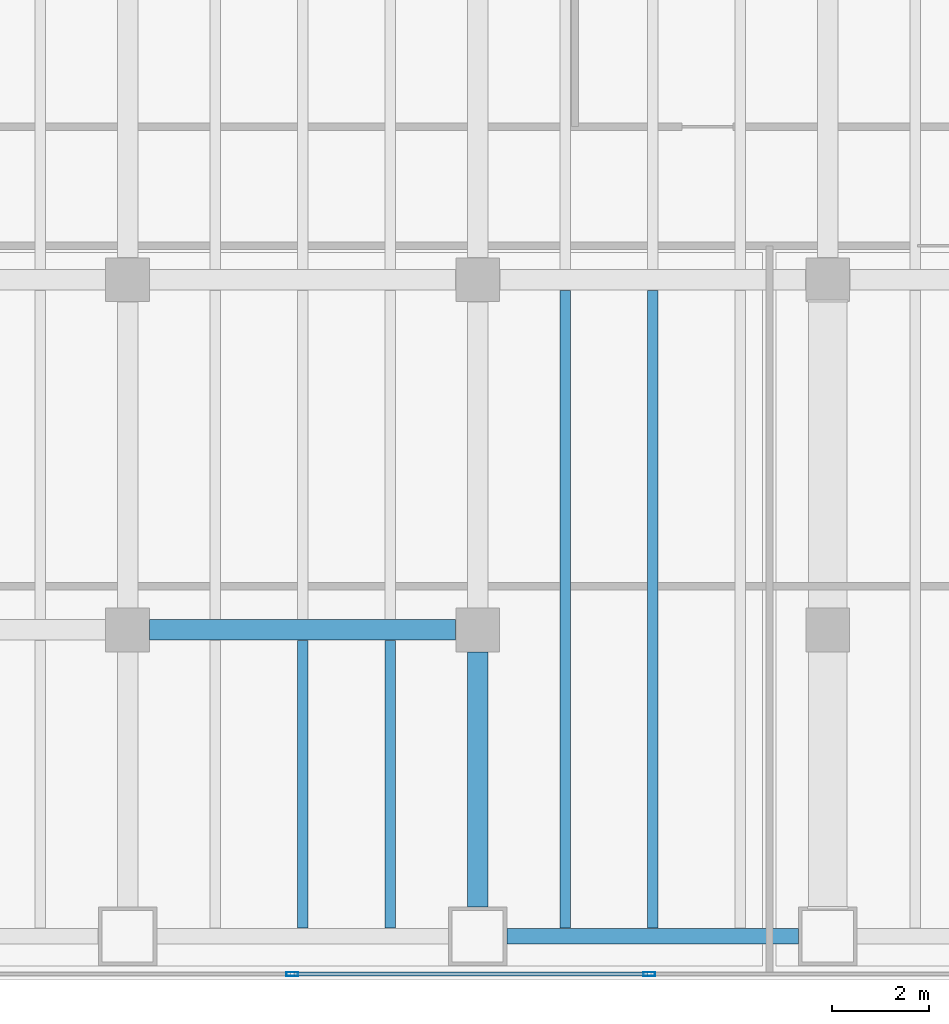
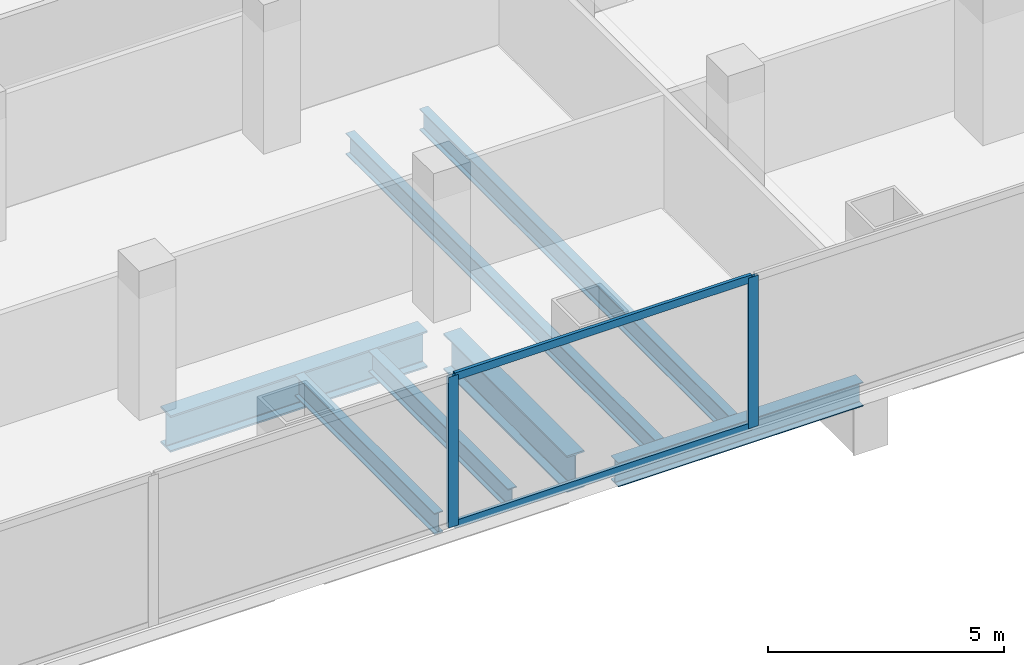
# One storey, part 5 of 34: 7 beams, 4 members, 1 element without a shape of its own.
"""IFC4 building model written with IfcOpenShell, lengths in metres."""

from ifc_helpers import new_model, si_unit, direction, frame, origin, origin_2d, place, context, subcontext, project, spatial, hollow_rectangle, i_section, extrude, material, material_profile, profile_set, type_object, element, aggregate, save


model = new_model("IFC4")

# Units and contexts
model_context = context("Model", 3, precision=1e-05, world=origin(), true_north=direction((0.0, 1.0)))
body_context = subcontext(model_context, "Body", "Model", "MODEL_VIEW")
ifc_project = project(units=[si_unit("LENGTHUNIT", "METRE"), si_unit("AREAUNIT", "SQUARE_METRE"), si_unit("VOLUMEUNIT", "CUBIC_METRE"), si_unit("PLANEANGLEUNIT", "RADIAN"), si_unit("MASSUNIT", "GRAM", prefix="KILO")], contexts=[model_context])

# Site, building, storey
site_placement = place(None, origin())
site = spatial("IfcSite", under=ifc_project, at=site_placement, CompositionType="ELEMENT")
building_placement = place(site_placement, origin())
building = spatial("IfcBuilding", under=site, at=building_placement, Name="Cobrela Telecom Tower", CompositionType="ELEMENT")
storey_placement = place(building_placement, frame((0.0, 0.0, 5.25)))
storey = spatial("IfcBuildingStorey", under=building, at=storey_placement, Name="L01", CompositionType="ELEMENT", Elevation=5.25)

# Beams
ifc_material_1 = material(Name="Steel ASTM A992 Grade 50", Category="steel")
ifc_material_profile_1 = material_profile(ifc_material_1, i_section(OverallWidth=0.424072265625, OverallDepth=0.947021484375, WebThickness=0.02392578125, FlangeThickness=0.042724609375, FilletRadius=0.02392578125, at=origin_2d()), Name="W36X302")
ifc_profile_set_1 = profile_set([ifc_material_profile_1], Name="Steel ASTM A992 Grade 50")
beam_type_1 = type_object("IfcBeamType", Name="BM-GIRD-01", PredefinedType="USERDEFINED", material=ifc_profile_set_1)
beam_1_placement = place(storey_placement, frame((29.2548828125, 7.199951171875, -0.7734375), z_axis=(1.0, 0.0, 0.0), x_axis=(0.0, 1.0, 0.0)))
element("IfcBeam", 1, at=beam_1_placement, inside=storey, type_object=beam_type_1, Name="L01 Primary Girder X13", ObjectType="GIRDER", PredefinedType="USERDEFINED", context=body_context, shape_type="SweptSolid", body=[
    extrude(i_section(OverallWidth=0.424072265625, OverallDepth=0.947021484375, WebThickness=0.02392578125, FlangeThickness=0.042724609375, FilletRadius=0.02392578125, at=origin_2d()), origin(), (0.0, 0.0, 1.0), 6.2900390625),
])
beam_2_placement = place(storey_placement, frame((36.0, 1.5048828125, -0.7734375), z_axis=(0.0, 1.0, 0.0), x_axis=(-1.0, 0.0, 0.0)))
element("IfcBeam", 2, at=beam_2_placement, inside=storey, type_object=beam_type_1, Name="L01 Primary Girder Y65", ObjectType="GIRDER", PredefinedType="USERDEFINED", context=body_context, shape_type="SweptSolid", body=[
    extrude(i_section(OverallWidth=0.424072265625, OverallDepth=0.947021484375, WebThickness=0.02392578125, FlangeThickness=0.042724609375, FilletRadius=0.02392578125, at=origin_2d()), origin(), (0.0, 0.0, 1.0), 5.240234375),
])
ifc_material_profile_2 = material_profile(ifc_material_1, i_section(OverallWidth=0.212890625, OverallDepth=0.549072265625, WebThickness=0.0146484375, FlangeThickness=0.023681640625, FilletRadius=0.013916015625, at=origin_2d()), Name="W21X93")
ifc_profile_set_2 = profile_set([ifc_material_profile_2], Name="Steel ASTM A992 Grade 50")
beam_type_2 = type_object("IfcBeamType", Name="BM-JOIST-01", PredefinedType="JOIST", material=ifc_profile_set_2)
for number, where, z_axis, x_axis, name in (
    (3, (32.39990234375, 1.069091796875, -0.574462890625), (0.0, 1.0, 0.0), (-1.0, 0.0, 0.0), "L01 Secondary Composite Floor Beam J58"),
    (4, (34.199951171875, 1.069091796875, -0.574462890625), (0.0, 1.0, 0.0), (-1.0, 0.0, 0.0), "L01 Secondary Composite Floor Beam J63"),
):
    element("IfcBeam", number, at=place(storey_placement, frame(where, z_axis=z_axis, x_axis=x_axis)), inside=storey, type_object=beam_type_2, Name=name, PredefinedType="JOIST", context=body_context, shape_type="SweptSolid", body=[
        extrude(i_section(OverallWidth=0.212890625, OverallDepth=0.549072265625, WebThickness=0.0146484375, FlangeThickness=0.023681640625, FilletRadius=0.013916015625, at=origin_2d()), origin(), (0.0, 0.0, 1.0), 5.913818359375),
    ])
for number, where, z_axis, x_axis, name in (
    (5, (37.800048828125, 1.069091796875, -0.574462890625), (0.0, 1.0, 0.0), (-1.0, 0.0, 0.0), "L01 Secondary Composite Floor Beam J70"),
    (6, (39.60009765625, 1.069091796875, -0.574462890625), (0.0, 1.0, 0.0), (-1.0, 0.0, 0.0), "L01 Secondary Composite Floor Beam J76"),
):
    element("IfcBeam", number, at=place(storey_placement, frame(where, z_axis=z_axis, x_axis=x_axis)), inside=storey, type_object=beam_type_2, Name=name, PredefinedType="JOIST", context=body_context, shape_type="SweptSolid", body=[
        extrude(i_section(OverallWidth=0.212890625, OverallDepth=0.549072265625, WebThickness=0.0146484375, FlangeThickness=0.023681640625, FilletRadius=0.013916015625, at=origin_2d()), origin(), (0.0, 0.0, 1.0), 13.114013671875),
    ])
ifc_material_profile_3 = material_profile(ifc_material_1, i_section(OverallWidth=0.327880859375, OverallDepth=0.6220703125, WebThickness=0.015380859375, FlangeThickness=0.0244140625, FilletRadius=0.014892578125, at=origin_2d()), Name="W24X131")
ifc_profile_set_3 = profile_set([ifc_material_profile_3], Name="Steel ASTM A992 Grade 50")
beam_type_3 = type_object("IfcBeamType", Name="BM-SPAND-01", PredefinedType="SPANDREL", material=ifc_profile_set_3)
beam_3_placement = place(storey_placement, frame((36.60498046875, 0.89990234375, -0.611083984375), z_axis=(1.0, 0.0, 0.0), x_axis=(0.0, 1.0, 0.0)))
element("IfcBeam", 7, at=beam_3_placement, inside=storey, type_object=beam_type_3, Name="L01 Perimeter Spandrel X04", PredefinedType="SPANDREL", context=body_context, shape_type="SweptSolid", body=[
    extrude(i_section(OverallWidth=0.327880859375, OverallDepth=0.6220703125, WebThickness=0.015380859375, FlangeThickness=0.0244140625, FilletRadius=0.014892578125, at=origin_2d()), origin(), (0.0, 0.0, 1.0), 5.989990234375),
])

# Curtain wall, members
ifc_material_2 = material(Name="Anodized Bronze Aluminium 6063-T6", Category="aluminium")
curtain_wall_type = type_object("IfcCurtainWallType", Name="CW-SYS-CONC", PredefinedType="USERDEFINED", material=ifc_material_2)
curtain_wall_placement = place(storey_placement, origin())
curtain_wall = element("IfcCurtainWall", 8, at=curtain_wall_placement, inside=storey, type_object=curtain_wall_type, Name="L01 Unitised Bronze Curtain Wall 17", ObjectType="UNITISED CURTAIN WALL", PredefinedType="USERDEFINED")
ifc_material_profile_4 = material_profile(ifc_material_2, hollow_rectangle(XDim=0.080078125, YDim=0.239990234375, WallThickness=0.0048828125, at=origin_2d()), Name="ALU 80x240x5")
ifc_profile_set_4 = profile_set([ifc_material_profile_4], Name="Anodized Bronze Aluminium 6063-T6")
member_type_1 = type_object("IfcMemberType", Name="CW-SYS-CONC-MUL", PredefinedType="MULLION", material=ifc_profile_set_4)
member_1_placement = place(storey_placement, frame((39.529052734375, 0.1201171875, 0.0), z_axis=(0.0, 0.0, 1.0), x_axis=(0.0, -1.0, 0.0)))
member_1 = element("IfcMember", 9, at=member_1_placement, type_object=member_type_1, Name="CW-CONC mullion 7", PredefinedType="MULLION", context=body_context, shape_type="SweptSolid", body=[
    extrude(hollow_rectangle(XDim=0.080078125, YDim=0.239990234375, WallThickness=0.0048828125, at=origin_2d()), origin(), (0.0, 0.0, 1.0), 3.89990234375),
])
member_2_placement = place(storey_placement, frame((32.187255859375, 0.1201171875, 0.0), z_axis=(0.0, 0.0, 1.0), x_axis=(0.0, -1.0, 0.0)))
member_2 = element("IfcMember", 10, at=member_2_placement, type_object=member_type_1, Name="CW-CONC mullion 8", PredefinedType="MULLION", context=body_context, shape_type="SweptSolid", body=[
    extrude(hollow_rectangle(XDim=0.080078125, YDim=0.239990234375, WallThickness=0.0048828125, at=origin_2d()), origin(), (0.0, 0.0, 1.0), 3.89990234375),
])
ifc_material_profile_5 = material_profile(ifc_material_2, hollow_rectangle(XDim=0.080078125, YDim=0.199951171875, WallThickness=0.00390625, at=origin_2d()), Name="ALU 80x200x4")
ifc_profile_set_5 = profile_set([ifc_material_profile_5], Name="Anodized Bronze Aluminium 6063-T6")
member_type_2 = type_object("IfcMemberType", Name="CW-SYS-CONC-TRN", PredefinedType="USERDEFINED", material=ifc_profile_set_5)
member_3_placement = place(storey_placement, frame((39.489013671875, 0.1201171875, 0.0400390625), z_axis=(-1.0, 0.0, 0.0), x_axis=(0.0, -1.0, 0.0)))
member_3 = element("IfcMember", 11, at=member_3_placement, type_object=member_type_2, Name="CW-CONC transom 7.1", ObjectType="TRANSOM", PredefinedType="USERDEFINED", context=body_context, shape_type="SweptSolid", body=[
    extrude(hollow_rectangle(XDim=0.080078125, YDim=0.199951171875, WallThickness=0.00390625, at=origin_2d()), origin(), (0.0, 0.0, 1.0), 7.26171875),
])
member_4_placement = place(storey_placement, frame((39.489013671875, 0.1201171875, 3.860107421875), z_axis=(-1.0, 0.0, 0.0), x_axis=(0.0, -1.0, 0.0)))
member_4 = element("IfcMember", 12, at=member_4_placement, type_object=member_type_2, Name="CW-CONC transom 7.2", ObjectType="TRANSOM", PredefinedType="USERDEFINED", context=body_context, shape_type="SweptSolid", body=[
    extrude(hollow_rectangle(XDim=0.080078125, YDim=0.199951171875, WallThickness=0.00390625, at=origin_2d()), origin(), (0.0, 0.0, 1.0), 7.26171875),
])
aggregate(curtain_wall, [member_1, member_2, member_3, member_4])

save(model, "model.ifc")
